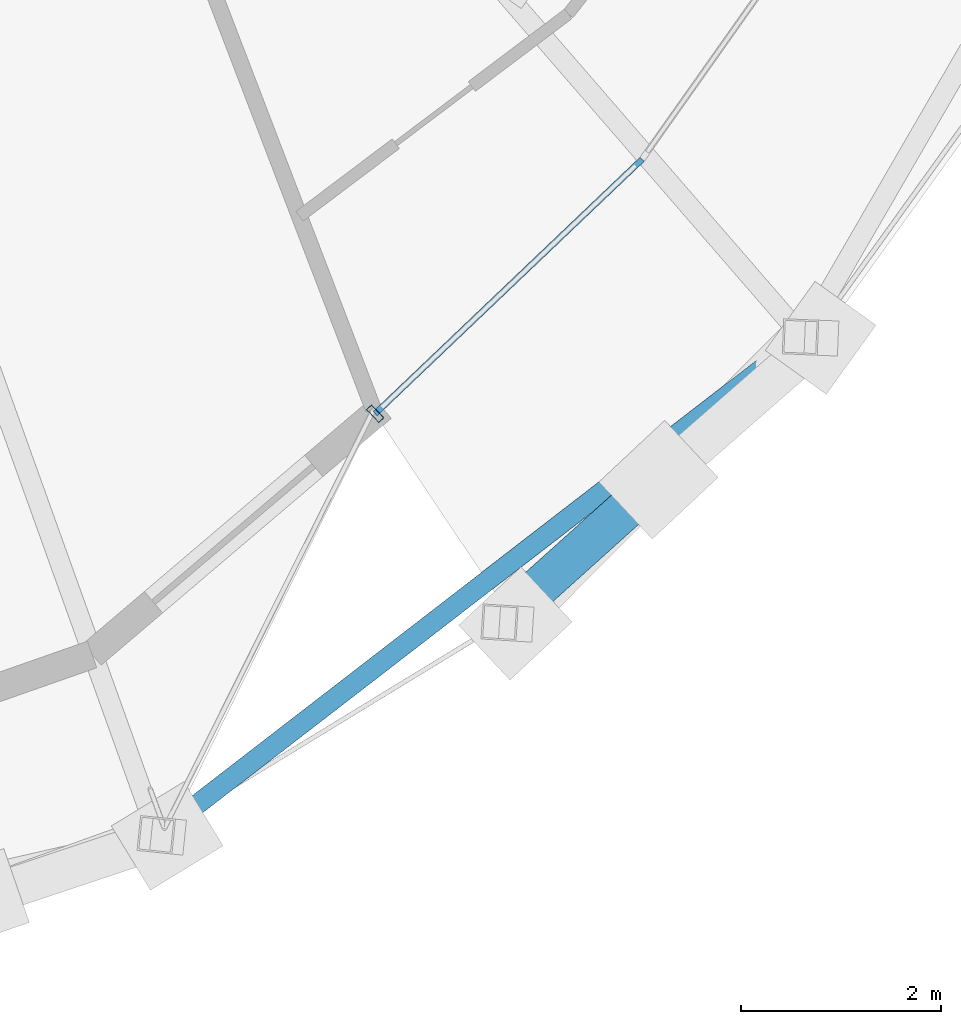
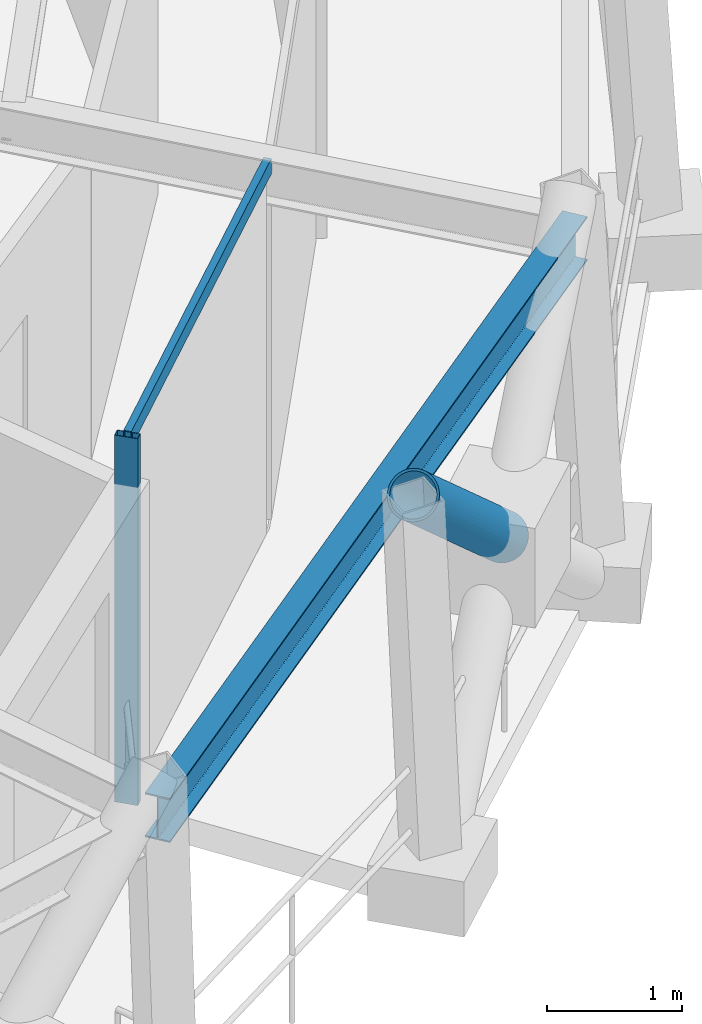
# One storey, part 2 of 17: 3 members, 1 beam, 1 element without a shape of its own.
"""IFC4 building model written with IfcOpenShell, lengths in metres."""

from ifc_helpers import new_model, si_unit, direction, frame, origin, origin_2d, place, context, subcontext, project, spatial, hollow_rectangle, hollow_circle, i_section, extrude, material, layer, layer_set, material_profile, profile_set, type_object, element, aggregate, save


model = new_model("IFC4")

# Units and contexts
model_context = context("Model", 3, precision=1e-05, world=origin(), true_north=direction((0.0, 1.0)))
body_context = subcontext(model_context, "Body", "Model", "MODEL_VIEW")
ifc_project = project(units=[si_unit("LENGTHUNIT", "METRE"), si_unit("AREAUNIT", "SQUARE_METRE"), si_unit("VOLUMEUNIT", "CUBIC_METRE"), si_unit("PLANEANGLEUNIT", "RADIAN"), si_unit("MASSUNIT", "GRAM", prefix="KILO")], contexts=[model_context])

# Site, building, storey
site_placement = place(None, origin())
site = spatial("IfcSite", under=ifc_project, at=site_placement, CompositionType="ELEMENT")
building_placement = place(site_placement, origin())
building = spatial("IfcBuilding", under=site, at=building_placement, Name="Veldorina Hangang Commons", CompositionType="ELEMENT")
storey_placement = place(building_placement, frame((0.0, 0.0, 286.800048828125)))
storey = spatial("IfcBuildingStorey", under=building, at=storey_placement, Name="L75", CompositionType="ELEMENT", Elevation=286.800048828125)

# Beam
ifc_material_1 = material(Name="Steel SM355-TMC", Category="steel")
ifc_material_profile_1 = material_profile(ifc_material_1, i_section(OverallWidth=0.199951171875, OverallDepth=0.39990234375, WebThickness=0.008056640625, FlangeThickness=0.012939453125, FilletRadius=0.012939453125, at=origin_2d()), Name="H-400x200x8x13")
ifc_profile_set_1 = profile_set([ifc_material_profile_1], Name="Steel SM355-TMC")
beam_type = type_object("IfcBeamType", Name="BM-RB400", PredefinedType="BEAM", material=ifc_profile_set_1)
beam_placement = place(storey_placement, frame((39.5986328125, 2.8193359375, 3.159912109375), z_axis=(0.791755303075, 0.610838391109, 0.0), x_axis=(-0.610838391109, 0.791755303075, 0.0)))
element("IfcBeam", 1, at=beam_placement, inside=storey, type_object=beam_type, Name="L75 perimeter hoop ring beam 26", PredefinedType="BEAM", context=body_context, shape_type="SweptSolid", body=[
    extrude(i_section(OverallWidth=0.199951171875, OverallDepth=0.39990234375, WebThickness=0.008056640625, FlangeThickness=0.012939453125, FilletRadius=0.012939453125, at=origin_2d()), origin(), (0.0, 0.0, 1.0), 8.135986328125),
])

# Curtain wall, members
ifc_material_2 = material(Name="Glass Low-E Selective", Category="glass")
ifc_layer = layer(ifc_material_2, 0.179931640625)
ifc_layer_set = layer_set([ifc_layer], Name="Glass Low-E Selective")
curtain_wall_type = type_object("IfcCurtainWallType", Name="CW-SYS-Z3", PredefinedType="NOTDEFINED", material=ifc_layer_set)
curtain_wall_placement = place(storey_placement, origin())
curtain_wall = element("IfcCurtainWall", 2, at=curtain_wall_placement, inside=storey, type_object=curtain_wall_type, Name="L75 unitised curtain wall CW-L75-R2", PredefinedType="NOTDEFINED")
ifc_material_3 = material(Name="Aluminium Anodized AA6063-T6", Category="aluminium")
ifc_material_profile_2 = material_profile(ifc_material_3, hollow_rectangle(XDim=0.070068359375, YDim=0.179931640625, WallThickness=0.00390625, at=origin_2d()), Name="ALU-RHS-180x70x4")
ifc_profile_set_2 = profile_set([ifc_material_profile_2], Name="Aluminium Anodized AA6063-T6")
member_type_1 = type_object("IfcMemberType", Name="CW-MUL-180", PredefinedType="MULLION", material=ifc_profile_set_2)
member_1_placement = place(storey_placement, frame((41.770263671875, 7.0244140625, 0.0), z_axis=(0.0, 0.0, 1.0), x_axis=(0.724003333978, 0.689796471714, 0.0)))
member_1 = element("IfcMember", 3, at=member_1_placement, type_object=member_type_1, Name="CW-L75-R2 vertical mullion 1", PredefinedType="MULLION", context=body_context, shape_type="SweptSolid", body=[
    extrude(hollow_rectangle(XDim=0.070068359375, YDim=0.179931640625, WallThickness=0.00390625, at=origin_2d()), origin(), (0.0, 0.0, 1.0), 3.320068359375),
])
ifc_material_profile_3 = material_profile(ifc_material_3, hollow_rectangle(XDim=0.06005859375, YDim=0.139892578125, WallThickness=0.00341796875, at=origin_2d()), Name="ALU-RHS-140x60x3.5")
ifc_profile_set_3 = profile_set([ifc_material_profile_3], Name="Aluminium Anodized AA6063-T6")
member_type_2 = type_object("IfcMemberType", Name="CW-TRN-140", PredefinedType="USERDEFINED", material=ifc_profile_set_3)
member_2_placement = place(storey_placement, frame((41.770263671875, 7.0244140625, 3.280029296875), z_axis=(0.723980173875, 0.689820779505, 0.0), x_axis=(-0.689820779505, 0.723980173875, 0.0)))
member_2 = element("IfcMember", 4, at=member_2_placement, type_object=member_type_2, Name="CW-L75-R2 facet 1 transom 1", ObjectType="TRANSOM", PredefinedType="USERDEFINED", context=body_context, shape_type="SweptSolid", body=[
    extrude(hollow_rectangle(XDim=0.06005859375, YDim=0.139892578125, WallThickness=0.00341796875, at=origin_2d()), origin(), (0.0, 0.0, 1.0), 3.6806640625),
])
aggregate(curtain_wall, [member_1, member_2])

# Member
ifc_material_profile_4 = material_profile(ifc_material_1, hollow_circle(Radius=0.199951171875, WallThickness=0.02001953125, at=origin_2d()), Name="CHS-400x20")
ifc_profile_set_4 = profile_set([ifc_material_profile_4], Name="Steel SM355-TMC")
member_type_3 = type_object("IfcMemberType", Name="DG-CHS400", PredefinedType="BRACE", material=ifc_profile_set_4)
member_3_placement = place(storey_placement, frame((44.598388671875, 6.365234375, 1.806884765625), z_axis=(-0.569249885944, -0.511772908081, 0.64346177657), x_axis=(0.668566235641, -0.743652599377, 0.0)))
element("IfcMember", 5, at=member_3_placement, inside=storey, type_object=member_type_3, Name="L75 split perimeter diagrid upper brace 28", PredefinedType="BRACE", context=body_context, shape_type="SweptSolid", body=[
    extrude(hollow_circle(Radius=0.199951171875, WallThickness=0.02001953125, at=origin_2d()), origin(), (0.0, 0.0, 1.0), 2.786376953125),
])

save(model, "model.ifc")
